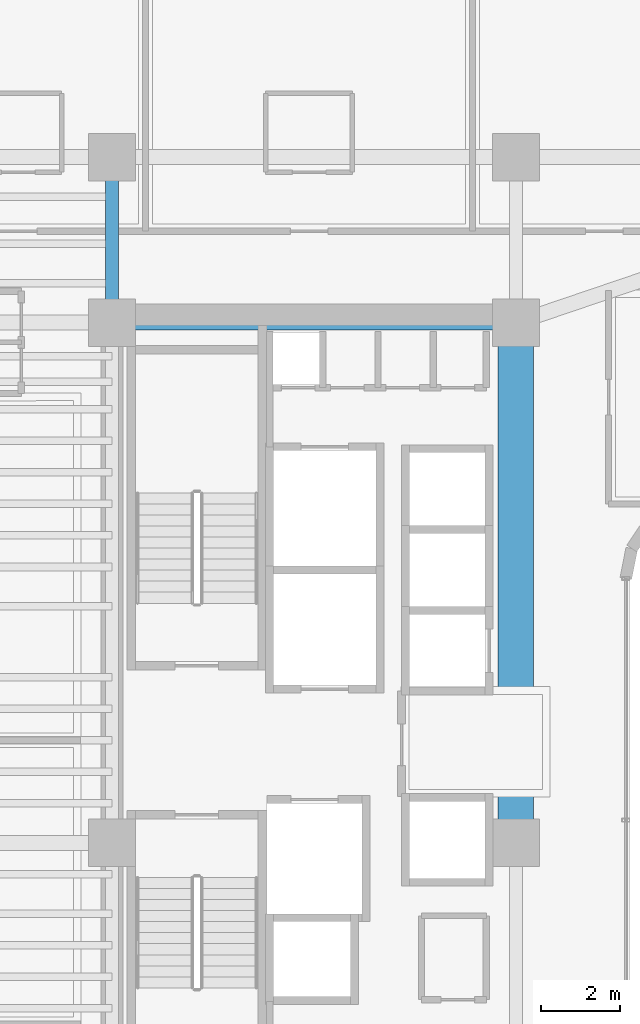
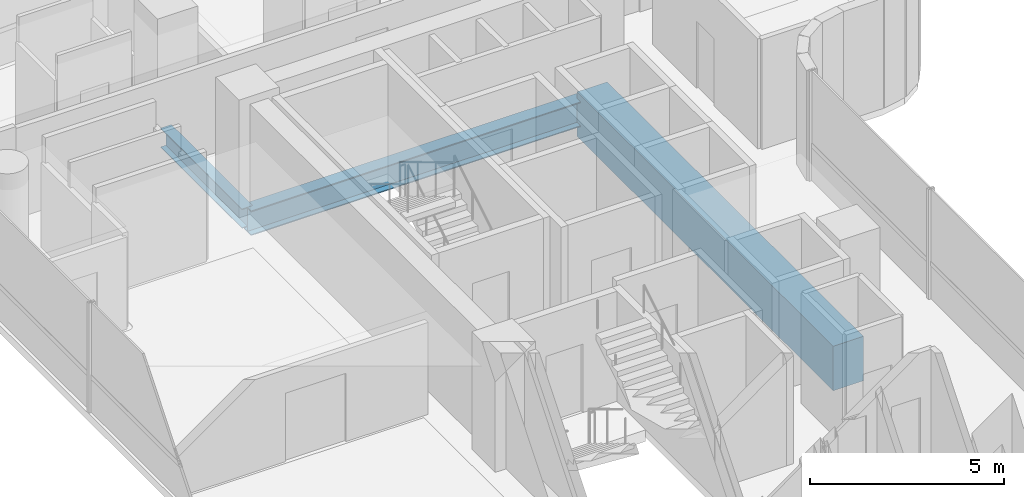
# One storey, part 10 of 36: 3 beams.
"""IFC4 building model written with IfcOpenShell, lengths in metres."""

from ifc_helpers import new_model, si_unit, direction, frame, origin, origin_2d, place, context, subcontext, project, spatial, rectangle, i_section, extrude, source, transform, mapped, material, material_profile, profile_set, type_object, element, save


model = new_model("IFC4")

# Units and contexts
model_context = context("Model", 3, precision=1e-05, world=origin(), true_north=direction((0.0, 1.0)))
body_context = subcontext(model_context, "Body", "Model", "MODEL_VIEW")
ifc_project = project(units=[si_unit("LENGTHUNIT", "METRE"), si_unit("AREAUNIT", "SQUARE_METRE"), si_unit("VOLUMEUNIT", "CUBIC_METRE"), si_unit("PLANEANGLEUNIT", "RADIAN"), si_unit("MASSUNIT", "GRAM", prefix="KILO")], contexts=[model_context])

# Site, building, storey
site_placement = place(None, origin())
site = spatial("IfcSite", under=ifc_project, at=site_placement, CompositionType="ELEMENT")
building_placement = place(site_placement, origin())
building = spatial("IfcBuilding", under=site, at=building_placement, Name="Valdorenza Pilgrim Sanctuary Tower", CompositionType="ELEMENT")
storey_placement = place(building_placement, frame((0.0, 0.0, 153.800048828125)))
storey = spatial("IfcBuildingStorey", under=building, at=storey_placement, Name="L39", CompositionType="ELEMENT", Elevation=153.800048828125)

# Beams
ifc_material_1 = material(Name="Concrete C60/75", Category="concrete")
ifc_material_profile_1 = material_profile(ifc_material_1, rectangle(XDim=0.89990234375, YDim=1.39990234375, at=origin_2d()), Name="RC 1400x900")
ifc_profile_set_1 = profile_set([ifc_material_profile_1], Name="Concrete C60/75")
beam_type_1 = type_object("IfcBeamType", Name="STR-BM-LNT-1400", PredefinedType="LINTEL", material=ifc_profile_set_1)
shared_shape_1 = source(origin(), body_context, "Body", "SweptSolid", [
    extrude(rectangle(XDim=0.89990234375, YDim=1.39990234375, at=origin_2d()), origin(), (0.0, 0.0, 1.0), 13.2001953125),
])
beam_1_placement = place(storey_placement, frame((-12.39990234375, -2.60009765625, -0.739990234375), z_axis=(0.0, 1.0, 0.0), x_axis=(-1.0, 0.0, 0.0)))
element("IfcBeam", 1, at=beam_1_placement, inside=storey, type_object=beam_type_1, Name="L39 Core A Coupling Lintel Girder", PredefinedType="LINTEL", context=body_context, shape_type="MappedRepresentation", body=[
    mapped(shared_shape_1, transform((0.0, 0.0, 0.0), x_axis=(1.0, 0.0, 0.0), y_axis=(0.0, 1.0, 0.0), z_axis=(0.0, 0.0, 1.0), scale=1.0)),
])
ifc_material_2 = material(Name="Steel ASTM A992 Grade 50", Category="steel")
ifc_material_profile_2 = material_profile(ifc_material_2, i_section(OverallWidth=0.323974609375, OverallDepth=0.611083984375, WebThickness=0.0126953125, FlangeThickness=0.01904296875, at=origin_2d()), Name="W24X104")
ifc_profile_set_2 = profile_set([ifc_material_profile_2], Name="Steel ASTM A992 Grade 50")
beam_type_2 = type_object("IfcBeamType", Name="STR-BM-GRD-W24B", PredefinedType="BEAM", material=ifc_profile_set_2)
shared_shape_2 = source(origin(), body_context, "Body", "SweptSolid", [
    extrude(i_section(OverallWidth=0.323974609375, OverallDepth=0.611083984375, WebThickness=0.0126953125, FlangeThickness=0.01904296875, at=origin_2d()), origin(), (0.0, 0.0, 1.0), 4.199951171875),
])
beam_2_placement = place(storey_placement, frame((-22.64990234375, 10.60009765625, -0.545654296875), z_axis=(0.0, 1.0, 0.0), x_axis=(-1.0, 0.0, 0.0)))
element("IfcBeam", 2, at=beam_2_placement, inside=storey, type_object=beam_type_2, Name="L39 Core Tie Girder CA-W-N1N2", PredefinedType="BEAM", context=body_context, shape_type="MappedRepresentation", body=[
    mapped(shared_shape_2, transform((0.0, 0.0, 0.0), x_axis=(1.0, 0.0, 0.0), y_axis=(0.0, 1.0, 0.0), z_axis=(0.0, 0.0, 1.0), scale=1.0)),
])
ifc_material_profile_3 = material_profile(ifc_material_2, i_section(OverallWidth=0.382080078125, OverallDepth=0.779052734375, WebThickness=0.01806640625, FlangeThickness=0.030029296875, at=origin_2d()), Name="W30X191")
ifc_profile_set_3 = profile_set([ifc_material_profile_3], Name="Steel ASTM A992 Grade 50")
beam_type_3 = type_object("IfcBeamType", Name="STR-BM-GRD-W30", PredefinedType="BEAM", material=ifc_profile_set_3)
shared_shape_3 = source(origin(), body_context, "Body", "SweptSolid", [
    extrude(i_section(OverallWidth=0.382080078125, OverallDepth=0.779052734375, WebThickness=0.01806640625, FlangeThickness=0.030029296875, at=origin_2d()), origin(), (0.0, 0.0, 1.0), 10.25),
])
beam_3_placement = place(storey_placement, frame((-22.64990234375, 10.60009765625, -0.629638671875), z_axis=(1.0, 0.0, 0.0), x_axis=(0.0, 1.0, 0.0)))
element("IfcBeam", 3, at=beam_3_placement, inside=storey, type_object=beam_type_3, Name="L39 Floor Girder CA-XC-N1", PredefinedType="BEAM", context=body_context, shape_type="MappedRepresentation", body=[
    mapped(shared_shape_3, transform((0.0, 0.0, 0.0), x_axis=(1.0, 0.0, 0.0), y_axis=(0.0, 1.0, 0.0), z_axis=(0.0, 0.0, 1.0), scale=1.0)),
])

save(model, "model.ifc")
